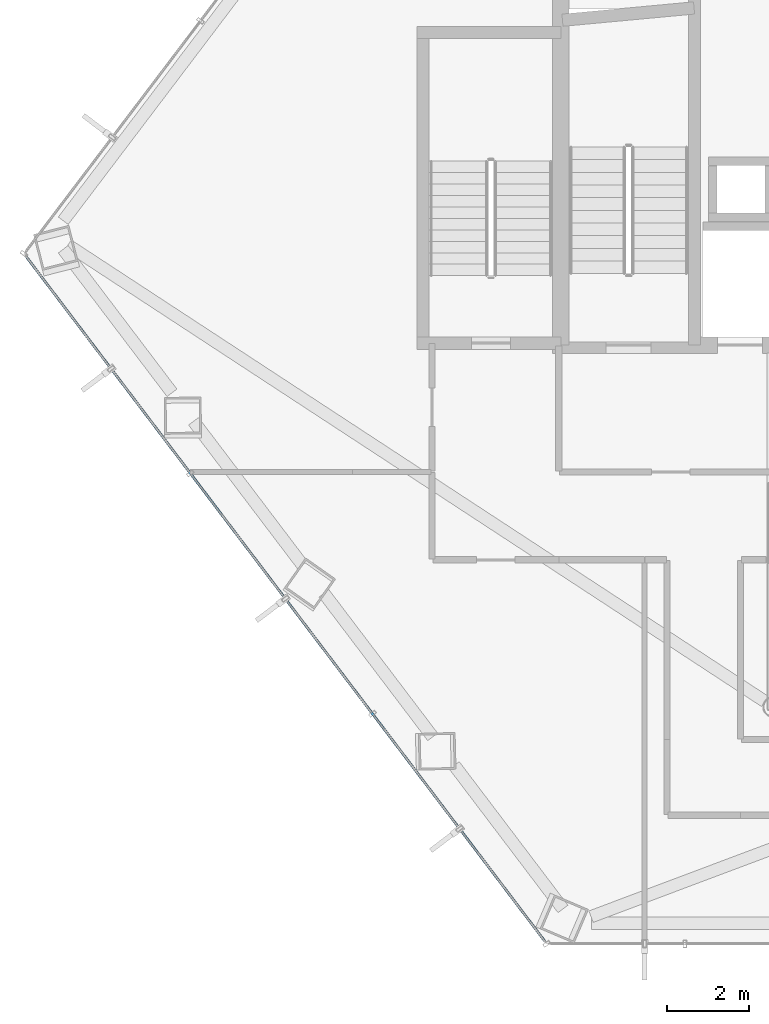
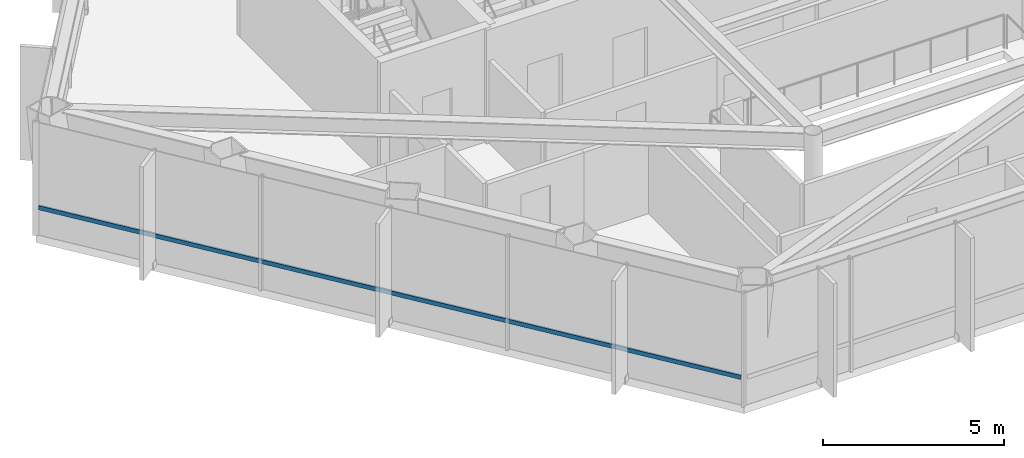
# One storey, part 3 of 27: 1 member, 1 element without a shape of its own.
"""IFC4 building model written with IfcOpenShell, lengths in metres."""

from ifc_helpers import new_model, si_unit, direction, frame, origin, origin_2d, place, context, subcontext, project, spatial, hollow_rectangle, extrude, material, layer, layer_set, material_profile, profile_set, type_object, element, aggregate, save


model = new_model("IFC4")

# Units and contexts
model_context = context("Model", 3, precision=1e-05, world=origin(), true_north=direction((0.0, 1.0)))
body_context = subcontext(model_context, "Body", "Model", "MODEL_VIEW")
ifc_project = project(units=[si_unit("LENGTHUNIT", "METRE"), si_unit("AREAUNIT", "SQUARE_METRE"), si_unit("VOLUMEUNIT", "CUBIC_METRE"), si_unit("PLANEANGLEUNIT", "RADIAN"), si_unit("MASSUNIT", "GRAM", prefix="KILO")], contexts=[model_context])

# Site, building, storey
site_placement = place(None, origin())
site = spatial("IfcSite", under=ifc_project, at=site_placement, CompositionType="ELEMENT")
building_placement = place(site_placement, origin())
building = spatial("IfcBuilding", under=site, at=building_placement, Name="Zarrinselat Tower", CompositionType="ELEMENT")
storey_placement = place(building_placement, frame((0.0, 0.0, 80.580078125)))
storey = spatial("IfcBuildingStorey", under=building, at=storey_placement, Name="L19", CompositionType="ELEMENT", Elevation=80.580078125)

# Curtain wall, member
ifc_material_1 = material(Name="Extruded Aluminium Alloy EN AW-6063 T6", Category="aluminium")
ifc_layer = layer(ifc_material_1, 0.18505859375)
ifc_layer_set = layer_set([ifc_layer], Name="Extruded Aluminium Alloy EN AW-6063 T6")
curtain_wall_type = type_object("IfcCurtainWallType", Name="CWS-OFF", PredefinedType="NOTDEFINED", material=ifc_layer_set)
curtain_wall_placement = place(storey_placement, origin())
curtain_wall = element("IfcCurtainWall", 1, at=curtain_wall_placement, inside=storey, type_object=curtain_wall_type, Name="L19 Unitised Curtain Wall CW-L19-E03", PredefinedType="NOTDEFINED")
ifc_material_2 = material(Name="Extruded Aluminium Alloy EN AW-6063 T6", Category="aluminium")
ifc_material_profile = material_profile(ifc_material_2, hollow_rectangle(XDim=0.06005859375, YDim=0.139892578125, WallThickness=0.00390625, at=origin_2d()), Name="RHS 140x60x4")
ifc_profile_set = profile_set([ifc_material_profile], Name="Extruded Aluminium Alloy EN AW-6063 T6")
member_type = type_object("IfcMemberType", Name="MEM-CW-TRN", PredefinedType="USERDEFINED", material=ifc_profile_set)
member_placement = place(storey_placement, frame((15.519775390625, 35.415283203125, 0.949951171875), z_axis=(0.603850972878, -0.797097235319, 0.0), x_axis=(0.797097235319, 0.603850972878, 0.0)))
member = element("IfcMember", 2, at=member_placement, type_object=member_type, Name="CW-L19-E03 Transom 1", ObjectType="TRANSOM", PredefinedType="USERDEFINED", context=body_context, shape_type="SweptSolid", body=[
    extrude(hollow_rectangle(XDim=0.06005859375, YDim=0.139892578125, WallThickness=0.00390625, at=origin_2d()), origin(), (0.0, 0.0, 1.0), 20.999755859375),
])
aggregate(curtain_wall, [member])

save(model, "model.ifc")
